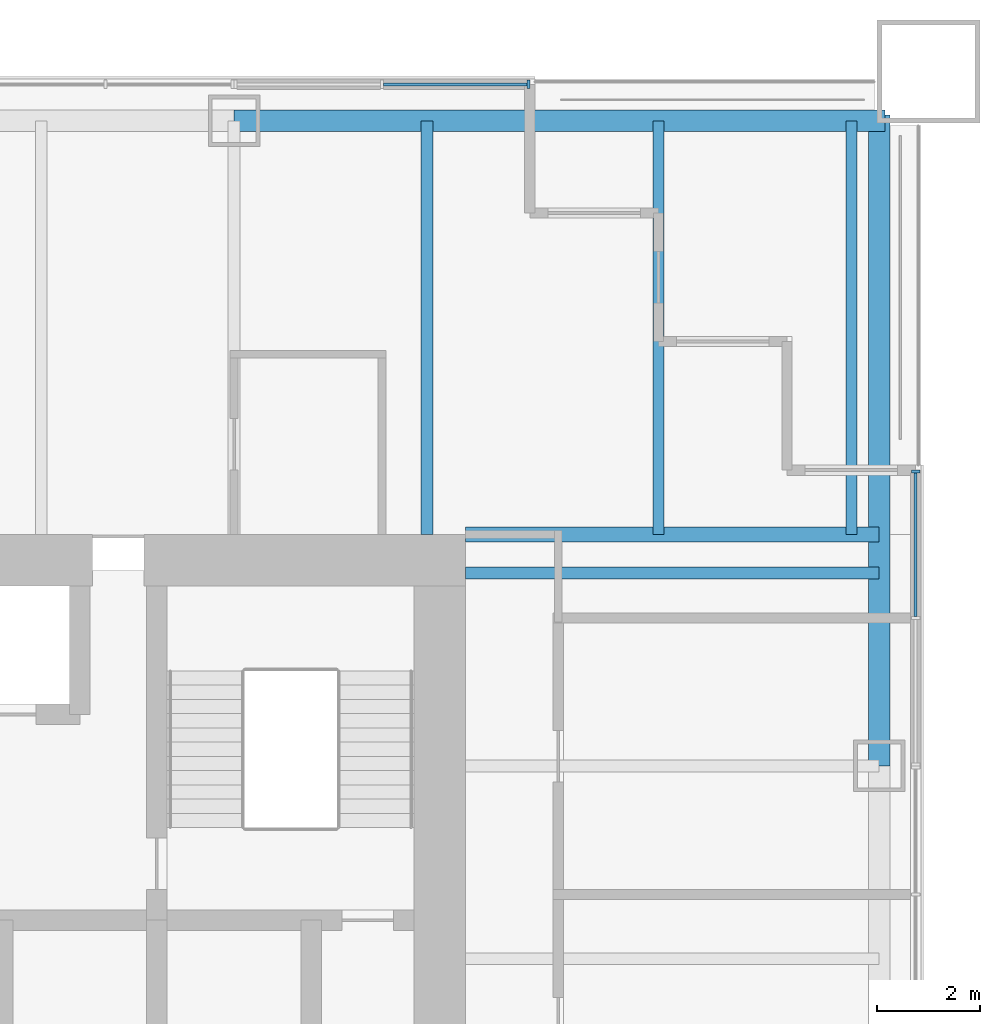
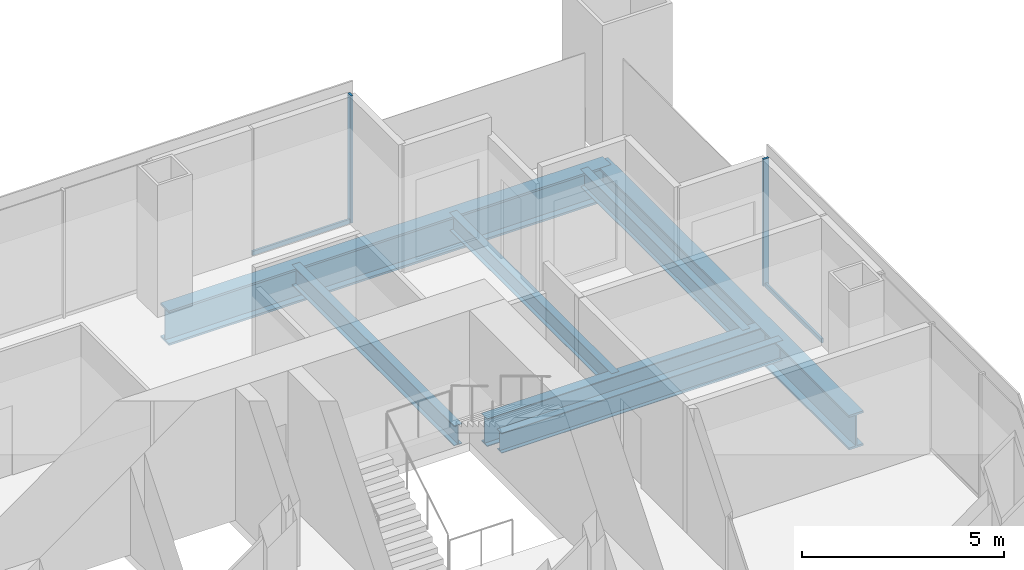
# One storey, part 7 of 14: 7 beams, 4 members, 2 elements without a shape of their own.
"""IFC4 building model written with IfcOpenShell, lengths in metres."""

from ifc_helpers import new_model, si_unit, direction, frame, origin, origin_2d, place, context, subcontext, project, spatial, rectangle, i_section, extrude, material, material_profile, profile_set, type_object, element, aggregate, save


model = new_model("IFC4")

# Units and contexts
model_context = context("Model", 3, precision=1e-05, world=origin(), true_north=direction((0.0, 1.0)))
body_context = subcontext(model_context, "Body", "Model", "MODEL_VIEW")
ifc_project = project(units=[si_unit("LENGTHUNIT", "METRE"), si_unit("AREAUNIT", "SQUARE_METRE"), si_unit("VOLUMEUNIT", "CUBIC_METRE"), si_unit("PLANEANGLEUNIT", "RADIAN"), si_unit("MASSUNIT", "GRAM", prefix="KILO")], contexts=[model_context])

# Site, building, storey
site_placement = place(None, origin())
site = spatial("IfcSite", under=ifc_project, at=site_placement, CompositionType="ELEMENT")
building_placement = place(site_placement, origin())
building = spatial("IfcBuilding", under=site, at=building_placement, Name="Tarangal Relay Tower", CompositionType="ELEMENT")
storey_placement = place(building_placement, frame((0.0, 0.0, 303.89990234375)))
storey = spatial("IfcBuildingStorey", under=building, at=storey_placement, Name="L67", CompositionType="ELEMENT", Elevation=303.89990234375)

# Beams
ifc_material_1 = material(Name="Steel ASTM A992", Category="steel")
ifc_material_profile_1 = material_profile(ifc_material_1, i_section(OverallWidth=0.209228515625, OverallDepth=0.533447265625, WebThickness=0.01025390625, FlangeThickness=0.015625, at=origin_2d()), Name="W21X62")
ifc_profile_set_1 = profile_set([ifc_material_profile_1], Name="Steel ASTM A992")
beam_type_1 = type_object("IfcBeamType", Name="Corner beam W21X62", PredefinedType="JOIST", material=ifc_profile_set_1)
for number, where, z_axis, x_axis, name in (
    (1, (15.75, 12.0, -0.41650390625), (0.0, 1.0, 0.0), (-1.0, 0.0, 0.0), "Corner beam CB12 N L67"),
    (2, (19.5, 12.0, -0.41650390625), (0.0, 1.0, 0.0), (-1.0, 0.0, 0.0), "Corner beam CB12 N L67"),
):
    element("IfcBeam", number, at=place(storey_placement, frame(where, z_axis=z_axis, x_axis=x_axis)), inside=storey, type_object=beam_type_1, Name=name, PredefinedType="JOIST", context=body_context, shape_type="SweptSolid", body=[
        extrude(i_section(OverallWidth=0.209228515625, OverallDepth=0.533447265625, WebThickness=0.01025390625, FlangeThickness=0.015625, at=origin_2d()), origin(), (0.0, 0.0, 1.0), 8.0400390625),
    ])
ifc_material_profile_2 = material_profile(ifc_material_1, i_section(OverallWidth=0.2919921875, OverallDepth=0.8408203125, WebThickness=0.0146484375, FlangeThickness=0.021728515625, at=origin_2d()), Name="W33X130")
ifc_profile_set_2 = profile_set([ifc_material_profile_2], Name="Steel ASTM A992")
beam_type_2 = type_object("IfcBeamType", Name="Corner girder W33X130", PredefinedType="BEAM", material=ifc_profile_set_2)
beam_placement = place(storey_placement, frame((12.0, 12.0, -0.5703125), z_axis=(1.0, 0.0, 0.0), x_axis=(0.0, 1.0, 0.0)))
element("IfcBeam", 3, at=beam_placement, inside=storey, type_object=beam_type_2, Name="Corner girder CG5 N L67", PredefinedType="BEAM", context=body_context, shape_type="SweptSolid", body=[
    extrude(i_section(OverallWidth=0.2919921875, OverallDepth=0.8408203125, WebThickness=0.0146484375, FlangeThickness=0.021728515625, at=origin_2d()), origin(), (0.0, 0.0, 1.0), 8.0400390625),
])
ifc_material_profile_3 = material_profile(ifc_material_1, i_section(OverallWidth=0.41162109375, OverallDepth=1.049072265625, WebThickness=0.033935546875, FlangeThickness=0.059814453125, at=origin_2d()), Name="W40X431")
ifc_profile_set_3 = profile_set([ifc_material_profile_3], Name="Steel ASTM A992")
beam_type_3 = type_object("IfcBeamType", Name="Edge girder W40X431", PredefinedType="SPANDREL", material=ifc_profile_set_3)
for number, where, z_axis, x_axis, name in (
    (4, (7.5, 20.0400390625, -0.67431640625), (1.0, 0.0, 0.0), (0.0, 1.0, 0.0), "Edge girder EG1 N L67"),
    (5, (20.0400390625, 20.14990234375, -0.67431640625), (0.0, -1.0, 0.0), (1.0, 0.0, 0.0), "Edge girder EG1 E L67"),
):
    element("IfcBeam", number, at=place(storey_placement, frame(where, z_axis=z_axis, x_axis=x_axis)), inside=storey, type_object=beam_type_3, Name=name, PredefinedType="SPANDREL", context=body_context, shape_type="SweptSolid", body=[
        extrude(i_section(OverallWidth=0.41162109375, OverallDepth=1.049072265625, WebThickness=0.033935546875, FlangeThickness=0.059814453125, at=origin_2d()), origin(), (0.0, 0.0, 1.0), 12.64990234375),
    ])
ifc_material_profile_4 = material_profile(ifc_material_1, i_section(OverallWidth=0.228271484375, OverallDepth=0.607177734375, WebThickness=0.01123046875, FlangeThickness=0.017333984375, at=origin_2d()), Name="W24X76")
ifc_profile_set_4 = profile_set([ifc_material_profile_4], Name="Steel ASTM A992")
beam_type_4 = type_object("IfcBeamType", Name="Floor beam W24X76", PredefinedType="BEAM", material=ifc_profile_set_4)
for number, where, z_axis, x_axis, name in (
    (6, (11.25, 12.0, -0.453369140625), (0.0, 1.0, 0.0), (-1.0, 0.0, 0.0), "Floor beam RB5 N L67"),
    (7, (12.0, 11.25, -0.453369140625), (1.0, 0.0, 0.0), (0.0, 1.0, 0.0), "Floor beam RB5 E L67"),
):
    element("IfcBeam", number, at=place(storey_placement, frame(where, z_axis=z_axis, x_axis=x_axis)), inside=storey, type_object=beam_type_4, Name=name, PredefinedType="BEAM", context=body_context, shape_type="SweptSolid", body=[
        extrude(i_section(OverallWidth=0.228271484375, OverallDepth=0.607177734375, WebThickness=0.01123046875, FlangeThickness=0.017333984375, at=origin_2d()), origin(), (0.0, 0.0, 1.0), 8.0400390625),
    ])

# Curtain wall, member
ifc_material_2 = material(Name="Unitised curtain wall frame, black aluminium, with metal clad infill walls", Category="aluminium")
curtain_wall_type = type_object("IfcCurtainWallType", Name="Curtain wall CW-BO", PredefinedType="USERDEFINED", material=ifc_material_2)
curtain_wall_1_placement = place(storey_placement, origin())
curtain_wall_1 = element("IfcCurtainWall", 8, at=curtain_wall_1_placement, inside=storey, type_object=curtain_wall_type, Name="Curtain wall CW-BO N facade L67", ObjectType="UNITISED CURTAIN WALL", PredefinedType="USERDEFINED")
ifc_material_3 = material(Name="Black anodised aluminium mullion", Category="aluminium")
ifc_material_profile_5 = material_profile(ifc_material_3, rectangle(XDim=0.159912109375, YDim=0.06005859375, at=origin_2d()), Name="CW-BOM 60X160")
ifc_profile_set_5 = profile_set([ifc_material_profile_5], Name="Black anodised aluminium mullion")
member_type_1 = type_object("IfcMemberType", Name="Mullion CW-BO 60 x 160", PredefinedType="MULLION", material=ifc_profile_set_5)
member_1_placement = place(storey_placement, frame((13.219970703125, 20.75, 0.0), z_axis=(0.0, 0.0, 1.0), x_axis=(0.0, 1.0, 0.0)))
member_1 = element("IfcMember", 9, at=member_1_placement, type_object=member_type_1, Name="CW-BO mullion 3", PredefinedType="MULLION", context=body_context, shape_type="SweptSolid", body=[
    extrude(rectangle(XDim=0.159912109375, YDim=0.06005859375, at=origin_2d()), origin(), (0.0, 0.0, 1.0), 3.85009765625),
])

curtain_wall_2_placement = place(storey_placement, origin())
curtain_wall_2 = element("IfcCurtainWall", 10, at=curtain_wall_2_placement, inside=storey, type_object=curtain_wall_type, Name="Curtain wall CW-BO E facade L67", ObjectType="UNITISED CURTAIN WALL", PredefinedType="USERDEFINED")
member_2_placement = place(storey_placement, frame((20.75, 13.219970703125, 0.0), z_axis=(0.0, 0.0, 1.0), x_axis=(1.0, 0.0, 0.0)))
member_2 = element("IfcMember", 11, at=member_2_placement, type_object=member_type_1, Name="CW-BO mullion 1", PredefinedType="MULLION", context=body_context, shape_type="SweptSolid", body=[
    extrude(rectangle(XDim=0.159912109375, YDim=0.06005859375, at=origin_2d()), origin(), (0.0, 0.0, 1.0), 3.85009765625),
])

# Member
ifc_material_4 = material(Name="Black anodised aluminium transom", Category="aluminium")
ifc_material_profile_6 = material_profile(ifc_material_4, rectangle(XDim=0.06005859375, YDim=0.1298828125, at=origin_2d()), Name="CW-BOT 60X130")
ifc_profile_set_6 = profile_set([ifc_material_profile_6], Name="Black anodised aluminium transom")
member_type_2 = type_object("IfcMemberType", Name="Transom CW-BO 60 x 130", PredefinedType="USERDEFINED", material=ifc_profile_set_6)
member_3_placement = place(storey_placement, frame((10.405029296875, 20.75, 0.030029296875), z_axis=(1.0, 0.0, 0.0), x_axis=(0.0, 1.0, 0.0)))
member_3 = element("IfcMember", 12, at=member_3_placement, type_object=member_type_2, Name="CW-BO transom 2.1", ObjectType="TRANSOM", PredefinedType="USERDEFINED", context=body_context, shape_type="SweptSolid", body=[
    extrude(rectangle(XDim=0.06005859375, YDim=0.1298828125, at=origin_2d()), origin(), (0.0, 0.0, 1.0), 2.784912109375),
])

aggregate(curtain_wall_1, [member_1, member_3])

member_4_placement = place(storey_placement, frame((20.75, 13.18994140625, 0.030029296875), z_axis=(0.0, -1.0, 0.0), x_axis=(1.0, 0.0, 0.0)))
member_4 = element("IfcMember", 13, at=member_4_placement, type_object=member_type_2, Name="CW-BO transom 1.1", ObjectType="TRANSOM", PredefinedType="USERDEFINED", context=body_context, shape_type="SweptSolid", body=[
    extrude(rectangle(XDim=0.06005859375, YDim=0.1298828125, at=origin_2d()), origin(), (0.0, 0.0, 1.0), 2.784912109375),
])

aggregate(curtain_wall_2, [member_2, member_4])

save(model, "model.ifc")
